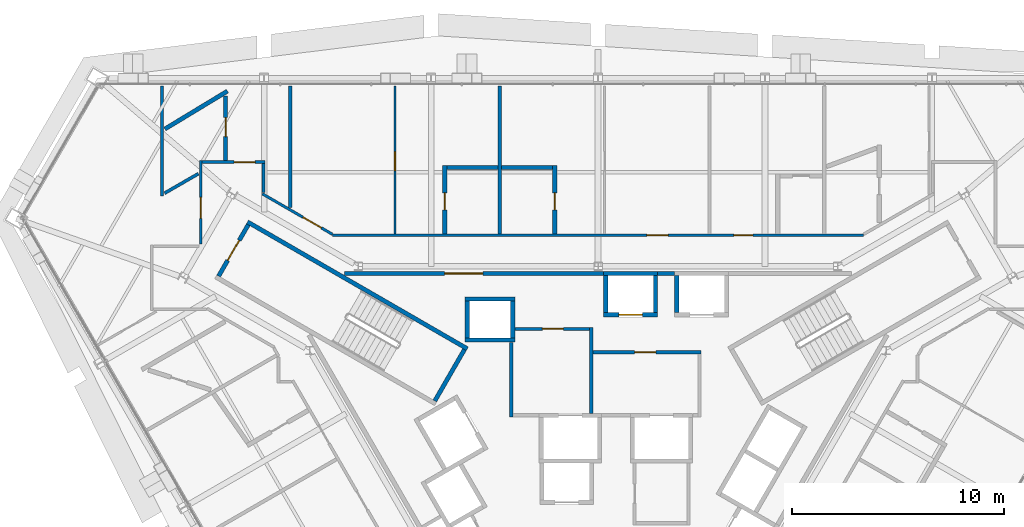
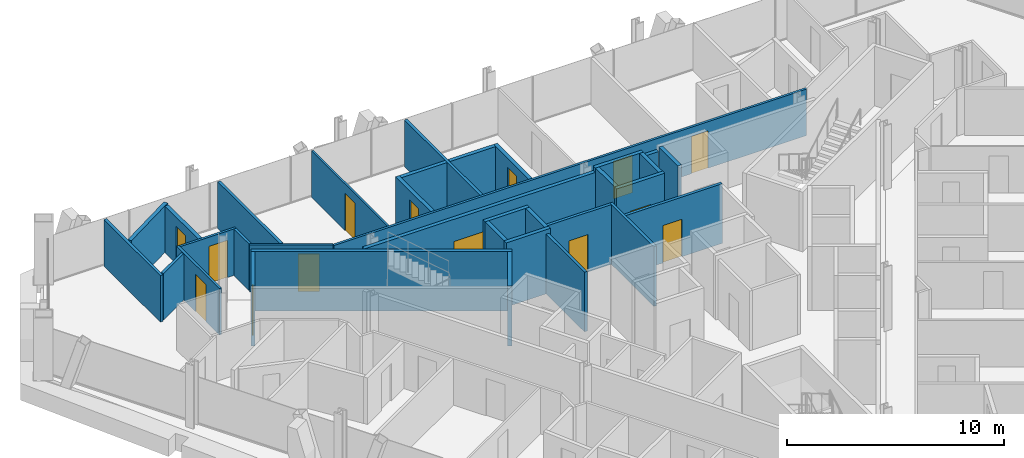
# One storey, part 13 of 17: 34 walls, 14 doors, 14 openings.
"""IFC4 building model written with IfcOpenShell, lengths in metres."""

from ifc_helpers import new_model, si_unit, direction, frame, frame_2d, origin, place, context, subcontext, project, spatial, rectangle, extrude, material, layer, layer_set, type_object, element, fill, save


model = new_model("IFC4")

# Units and contexts
model_context = context("Model", 3, precision=1e-05, world=origin(), true_north=direction((0.0, 1.0)))
body_context = subcontext(model_context, "Body", "Model", "MODEL_VIEW")
ifc_project = project(units=[si_unit("LENGTHUNIT", "METRE"), si_unit("AREAUNIT", "SQUARE_METRE"), si_unit("VOLUMEUNIT", "CUBIC_METRE"), si_unit("PLANEANGLEUNIT", "RADIAN"), si_unit("MASSUNIT", "GRAM", prefix="KILO")], contexts=[model_context])

# Site, building, storey
site_placement = place(None, origin())
site = spatial("IfcSite", under=ifc_project, at=site_placement, CompositionType="ELEMENT")
building_placement = place(site_placement, origin())
building = spatial("IfcBuilding", under=site, at=building_placement, Name="Verrane Prism Tower", CompositionType="ELEMENT")
storey_placement = place(building_placement, frame((0.0, 0.0, 96.39990234375)))
storey = spatial("IfcBuildingStorey", under=building, at=storey_placement, Name="L22", CompositionType="ELEMENT", Elevation=96.39990234375)

# Wall, opening, door
ifc_material_1 = material(Name="Gypsum board partition", Category="other")
ifc_layer_1 = layer(ifc_material_1, 0.199951171875)
ifc_layer_set_1 = layer_set([ifc_layer_1], Name="CW-200 core boundary wall 2 h")
wall_type_1 = type_object("IfcWallType", Name="CW-200 core boundary wall 2 h", PredefinedType="PARTITIONING", material=ifc_layer_set_1)
wall_1_placement = place(storey_placement, frame((0.262939453125, 8.860107421875, 0.0), z_axis=(0.0, 0.0, 1.0), x_axis=(-1.0, 0.0, 0.0)))
wall_1 = element("IfcWall", 1, at=wall_1_placement, inside=storey, type_object=wall_type_1, Name="Core boundary wall CW3-002", PredefinedType="PARTITIONING", context=body_context, shape_type="SweptSolid", body=[
    extrude(rectangle(XDim=12.25390625, YDim=0.199951171875, at=frame_2d((6.126953125, 0.0))), origin(), (0.0, 0.0, 1.0), 3.35009765625),
])
opening_1_placement = place(wall_1_placement, frame((5.708984375, 0.0, 0.0)))
opening_1 = element("IfcOpeningElement", 2, at=opening_1_placement, cuts=wall_1, Name="Opening D21511", PredefinedType="OPENING", context=body_context, shape_type="SweptSolid", body=[
    extrude(rectangle(XDim=1.800048828125, YDim=2.10009765625, at=frame_2d((0.89990234375, 1.050048828125))), frame((0.0, 0.10986328125, 0.0), z_axis=(0.0, -1.0, 0.0), x_axis=(1.0, 0.0, 0.0)), (0.0, 0.0, 1.0), 0.219970703125),
])
ifc_material_2 = material(Name="Timber veneered door leaf", Category="wood")
door_type_1 = type_object("IfcDoorType", Name="DR-1800x2100 FD60 double leaf lift lobby", OperationType="NOTDEFINED", PredefinedType="DOOR", material=ifc_material_2)
door_1_placement = place(opening_1_placement, origin())
door_1 = element("IfcDoor", 3, at=door_1_placement, inside=storey, type_object=door_type_1, Name="Lift lobby door D21511", OperationType="DOUBLE_DOOR_SINGLE_SWING", OverallHeight=2.10009765625, OverallWidth=1.800048828125, PredefinedType="DOOR", context=body_context, shape_type="SweptSolid", body=[
    extrude(rectangle(XDim=1.800048828125, YDim=2.10009765625, at=frame_2d((0.89990234375, 1.050048828125))), frame((0.0, 0.02490234375, 0.0), z_axis=(0.0, -1.0, 0.0), x_axis=(1.0, 0.0, 0.0)), (0.0, 0.0, 1.0), 0.050048828125),
])
fill(opening_1, door_1)

# Wall
wall_2_placement = place(storey_placement, frame((2.81689453125, 8.860107421875, 0.0), z_axis=(0.0, 0.0, 1.0), x_axis=(1.0, 0.0, 0.0)))
element("IfcWall", 4, at=wall_2_placement, inside=storey, type_object=wall_type_1, Name="Core boundary wall CW3-004", PredefinedType="PARTITIONING", context=body_context, shape_type="SweptSolid", body=[
    extrude(rectangle(XDim=0.80615234375, YDim=0.199951171875, at=frame_2d((0.403076171875, 0.0))), origin(), (0.0, 0.0, 1.0), 3.35009765625),
])

# Wall, opening, door
ifc_material_3 = material(Name="Concrete C40/50", Category="concrete")
ifc_layer_2 = layer(ifc_material_3, 0.199951171875)
ifc_layer_set_2 = layer_set([ifc_layer_2], Name="CW-200 stair core wall concrete C40/50 3 h")
wall_type_2 = type_object("IfcWallType", Name="CW-200 stair core wall concrete C40/50 3 h", PredefinedType="PARTITIONING", material=ifc_layer_set_2)
wall_3_placement = place(storey_placement, frame((-16.533935546875, 11.162353515625, 0.0), z_axis=(0.0, 0.0, 1.0), x_axis=(-0.49998411664, -0.866034573852, 0.0)))
wall_3 = element("IfcWall", 5, at=wall_3_placement, inside=storey, type_object=wall_type_2, Name="Stair 2 enclosure wall", PredefinedType="PARTITIONING", context=body_context, shape_type="SweptSolid", body=[
    extrude(rectangle(XDim=2.7998046875, YDim=0.199951171875, at=frame_2d((1.39990234375, 0.0))), origin(), (0.0, 0.0, 1.0), 3.35009765625),
])
opening_2_placement = place(wall_3_placement, frame((0.849853515625, 0.0, 0.0)))
opening_2 = element("IfcOpeningElement", 6, at=opening_2_placement, cuts=wall_3, Name="Opening D21501", PredefinedType="OPENING", context=body_context, shape_type="SweptSolid", body=[
    extrude(rectangle(XDim=1.10009765625, YDim=2.10009765625, at=frame_2d((0.550048828125, 1.050048828125))), frame((0.0, 0.10986328125, 0.0), z_axis=(0.0, -1.0, 0.0), x_axis=(1.0, 0.0, 0.0)), (0.0, 0.0, 1.0), 0.219970703125),
])
ifc_material_4 = material(Name="Timber veneered door leaf", Category="wood")
door_type_2 = type_object("IfcDoorType", Name="DR-1100x2100 FD90 single leaf stair", OperationType="NOTDEFINED", PredefinedType="DOOR", material=ifc_material_4)
door_2_placement = place(opening_2_placement, origin())
door_2 = element("IfcDoor", 7, at=door_2_placement, inside=storey, type_object=door_type_2, Name="Stair 2 door", OperationType="SINGLE_SWING_RIGHT", OverallHeight=2.10009765625, OverallWidth=1.10009765625, PredefinedType="DOOR", context=body_context, shape_type="SweptSolid", body=[
    extrude(rectangle(XDim=1.10009765625, YDim=2.10009765625, at=frame_2d((0.550048828125, 1.050048828125))), frame((0.0, 0.02490234375, 0.0), z_axis=(0.0, -1.0, 0.0), x_axis=(1.0, 0.0, 0.0)), (0.0, 0.0, 1.0), 0.050048828125),
])
fill(opening_2, door_2)

# Walls
wall_4_placement = place(storey_placement, frame((-6.17822265625, 5.299072265625, 0.0), z_axis=(0.0, 0.0, 1.0), x_axis=(-0.866026010844, 0.49999894854, 0.0)))
element("IfcWall", 8, at=wall_4_placement, inside=storey, type_object=wall_type_2, Name="Stair 2 enclosure wall", PredefinedType="PARTITIONING", context=body_context, shape_type="SweptSolid", body=[
    extrude(rectangle(XDim=12.0, YDim=0.199951171875, at=frame_2d((6.0, 0.0))), origin(), (0.0, 0.0, 1.0), 3.35009765625),
])
wall_5_placement = place(storey_placement, frame((-6.314697265625, 5.262451171875, 0.0), z_axis=(0.0, 0.0, 1.0), x_axis=(-0.500049511043, -0.865996816683, 0.0)))
element("IfcWall", 9, at=wall_5_placement, inside=storey, type_object=wall_type_2, Name="Stair 2 enclosure wall", PredefinedType="PARTITIONING", context=body_context, shape_type="SweptSolid", body=[
    extrude(rectangle(XDim=2.800048828125, YDim=0.199951171875, at=frame_2d((1.39990234375, 0.0))), origin(), (0.0, 0.0, 1.0), 3.35009765625),
])
ifc_material_5 = material(Name="Gypsum board shaft wall assembly", Category="other")
ifc_layer_3 = layer(ifc_material_5, 0.199951171875)
ifc_layer_set_3 = layer_set([ifc_layer_3], Name="HW-200 lift shaft wall 2 h")
wall_type_3 = type_object("IfcWallType", Name="HW-200 lift shaft wall 2 h", PredefinedType="PARTITIONING", material=ifc_layer_set_3)
wall_6_placement = place(storey_placement, frame((-6.284912109375, 5.7099609375, 0.0), z_axis=(0.0, 0.0, 1.0), x_axis=(1.0, 0.0, 0.0)))
element("IfcWall", 10, at=wall_6_placement, inside=storey, type_object=wall_type_3, Name="Lift shaft wall", PredefinedType="PARTITIONING", context=body_context, shape_type="SweptSolid", body=[
    extrude(rectangle(XDim=2.349853515625, YDim=0.199951171875, at=frame_2d((1.1748046875, 0.0))), origin(), (0.0, 0.0, 1.0), 3.60009765625),
])

# Wall, opening, door
wall_7_placement = place(storey_placement, frame((0.264892578125, 6.909912109375, 0.0), z_axis=(0.0, 0.0, 1.0), x_axis=(1.0, 0.0, 0.0)))
wall_7 = element("IfcWall", 11, at=wall_7_placement, inside=storey, type_object=wall_type_3, Name="Lift shaft wall", PredefinedType="PARTITIONING", context=body_context, shape_type="SweptSolid", body=[
    extrude(rectangle(XDim=2.550048828125, YDim=0.199951171875, at=frame_2d((1.27490234375, 0.0))), origin(), (0.0, 0.0, 1.0), 3.60009765625),
])
opening_3_placement = place(wall_7_placement, frame((0.72509765625, 0.0, 0.0)))
opening_3 = element("IfcOpeningElement", 12, at=opening_3_placement, cuts=wall_7, Name="Opening D21503", PredefinedType="OPENING", context=body_context, shape_type="SweptSolid", body=[
    extrude(rectangle(XDim=1.10009765625, YDim=2.10009765625, at=frame_2d((0.550048828125, 1.050048828125))), frame((0.0, 0.10986328125, 0.0), z_axis=(0.0, -1.0, 0.0), x_axis=(1.0, 0.0, 0.0)), (0.0, 0.0, 1.0), 0.219970703125),
])
ifc_material_6 = material(Name="Stainless steel sliding landing door", Category="steel")
door_type_3 = type_object("IfcDoorType", Name="LD-1100x2100 lift landing door FD90 sliding", OperationType="NOTDEFINED", PredefinedType="DOOR", material=ifc_material_6)
door_3_placement = place(opening_3_placement, origin())
door_3 = element("IfcDoor", 13, at=door_3_placement, inside=storey, type_object=door_type_3, Name="Bank A lift 1 landing door", OperationType="SLIDING_TO_LEFT", OverallHeight=2.10009765625, OverallWidth=1.10009765625, PredefinedType="DOOR", context=body_context, shape_type="SweptSolid", body=[
    extrude(rectangle(XDim=1.10009765625, YDim=2.10009765625, at=frame_2d((0.550048828125, 1.050048828125))), frame((0.0, 0.02490234375, 0.0), z_axis=(0.0, -1.0, 0.0), x_axis=(1.0, 0.0, 0.0)), (0.0, 0.0, 1.0), 0.050048828125),
])
fill(opening_3, door_3)

# Walls
wall_8_placement = place(storey_placement, frame((-6.284912109375, 7.659912109375, 0.0), z_axis=(0.0, 0.0, 1.0), x_axis=(1.0, 0.0, 0.0)))
element("IfcWall", 14, at=wall_8_placement, inside=storey, type_object=wall_type_3, Name="Lift shaft wall", PredefinedType="PARTITIONING", context=body_context, shape_type="SweptSolid", body=[
    extrude(rectangle(XDim=2.349853515625, YDim=0.199951171875, at=frame_2d((1.1748046875, 0.0))), origin(), (0.0, 0.0, 1.0), 3.60009765625),
])
wall_9_placement = place(storey_placement, frame((0.264892578125, 8.860107421875, 0.0), z_axis=(0.0, 0.0, 1.0), x_axis=(1.0, 0.0, 0.0)))
element("IfcWall", 15, at=wall_9_placement, inside=storey, type_object=wall_type_3, Name="Lift shaft wall", PredefinedType="PARTITIONING", context=body_context, shape_type="SweptSolid", body=[
    extrude(rectangle(XDim=2.550048828125, YDim=0.199951171875, at=frame_2d((1.27490234375, 0.0))), origin(), (0.0, 0.0, 1.0), 3.60009765625),
])
for number, where, z_axis, x_axis, name in (
    (16, (3.72509765625, 7.010009765625, 0.0), (0.0, 0.0, 1.0), (0.0, 1.0, 0.0), "Lift shaft wall"),
    (17, (2.715087890625, 7.010009765625, 0.0), (0.0, 0.0, 1.0), (0.0, 1.0, 0.0), "Lift shaft wall"),
    (18, (0.364990234375, 7.010009765625, 0.0), (0.0, 0.0, 1.0), (0.0, 1.0, 0.0), "Lift shaft wall"),
    (19, (-4.034912109375, 5.81005859375, 0.0), (0.0, 0.0, 1.0), (0.0, 1.0, 0.0), "Lift shaft wall"),
    (20, (-6.18505859375, 5.81005859375, 0.0), (0.0, 0.0, 1.0), (0.0, 1.0, 0.0), "Lift shaft wall"),
):
    element("IfcWall", number, at=place(storey_placement, frame(where, z_axis=z_axis, x_axis=x_axis)), inside=storey, type_object=wall_type_3, Name=name, PredefinedType="PARTITIONING", context=body_context, shape_type="SweptSolid", body=[
        extrude(rectangle(XDim=1.75, YDim=0.199951171875, at=frame_2d((0.875, 0.0))), origin(), (0.0, 0.0, 1.0), 3.60009765625),
    ])
ifc_material_7 = material(Name="Gypsum board partition", Category="other")
ifc_layer_4 = layer(ifc_material_7, 0.14990234375)
ifc_layer_set_4 = layer_set([ifc_layer_4], Name="LF-150 firefighting lobby wall 1 h")
wall_type_4 = type_object("IfcWallType", Name="LF-150 firefighting lobby wall 1 h", PredefinedType="PARTITIONING", material=ifc_layer_set_4)
wall_10_placement = place(storey_placement, frame((-4.10009765625, 2.0849609375, 0.0), z_axis=(0.0, 0.0, 1.0), x_axis=(0.0, 1.0, 0.0)))
element("IfcWall", 21, at=wall_10_placement, inside=storey, type_object=wall_type_4, Name="Firefighting lobby wall LF1-001", PredefinedType="PARTITIONING", context=body_context, shape_type="SweptSolid", body=[
    extrude(rectangle(XDim=3.52294921875, YDim=0.14990234375, at=frame_2d((1.761474609375, 0.0))), origin(), (0.0, 0.0, 1.0), 3.35009765625),
])

# Wall, opening, door
wall_11_placement = place(storey_placement, frame((-3.93310546875, 6.239990234375, 0.0), z_axis=(0.0, 0.0, 1.0), x_axis=(1.0, 0.0, 0.0)))
wall_11 = element("IfcWall", 22, at=wall_11_placement, inside=storey, type_object=wall_type_4, Name="Firefighting lobby wall LF1-003", PredefinedType="PARTITIONING", context=body_context, shape_type="SweptSolid", body=[
    extrude(rectangle(XDim=3.5380859375, YDim=0.14990234375, at=frame_2d((1.76904296875, 0.0))), origin(), (0.0, 0.0, 1.0), 3.35009765625),
])
opening_4_placement = place(wall_11_placement, frame((1.300048828125, 0.0, 0.0)))
opening_4 = element("IfcOpeningElement", 23, at=opening_4_placement, cuts=wall_11, Name="Opening D21515", PredefinedType="OPENING", context=body_context, shape_type="SweptSolid", body=[
    extrude(rectangle(XDim=1.0, YDim=2.10009765625, at=frame_2d((0.5, 1.050048828125))), frame((0.0, 0.0849609375, 0.0), z_axis=(0.0, -1.0, 0.0), x_axis=(1.0, 0.0, 0.0)), (0.0, 0.0, 1.0), 0.169921875),
])
ifc_material_8 = material(Name="Timber veneered door leaf", Category="wood")
door_type_4 = type_object("IfcDoorType", Name="DR-1000x2100 FD60 single leaf firefighting lobby", OperationType="NOTDEFINED", PredefinedType="DOOR", material=ifc_material_8)
door_4_placement = place(opening_4_placement, origin())
door_4 = element("IfcDoor", 24, at=door_4_placement, inside=storey, type_object=door_type_4, Name="Firefighting lobby door D21515", OperationType="SINGLE_SWING_LEFT", OverallHeight=2.10009765625, OverallWidth=1.0, PredefinedType="DOOR", context=body_context, shape_type="SweptSolid", body=[
    extrude(rectangle(XDim=1.0, YDim=2.10009765625, at=frame_2d((0.5, 1.050048828125))), frame((0.0, 0.02490234375, 0.0), z_axis=(0.0, -1.0, 0.0), x_axis=(1.0, 0.0, 0.0)), (0.0, 0.0, 1.0), 0.050048828125),
])
fill(opening_4, door_4)

# Wall
wall_12_placement = place(storey_placement, frame((-0.320068359375, 2.251953125, 0.0), z_axis=(0.0, 0.0, 1.0), x_axis=(0.0, 1.0, 0.0)))
element("IfcWall", 25, at=wall_12_placement, inside=storey, type_object=wall_type_4, Name="Firefighting lobby wall LF1-004", PredefinedType="PARTITIONING", context=body_context, shape_type="SweptSolid", body=[
    extrude(rectangle(XDim=4.06298828125, YDim=0.14990234375, at=frame_2d((2.031494140625, 0.0))), origin(), (0.0, 0.0, 1.0), 3.35009765625),
])

# Wall, opening, door
wall_13_placement = place(storey_placement, frame((-0.2451171875, 5.139892578125, 0.0), z_axis=(0.0, 0.0, 1.0), x_axis=(1.0, 0.0, 0.0)))
wall_13 = element("IfcWall", 26, at=wall_13_placement, inside=storey, type_object=wall_type_4, Name="Firefighting lobby wall LF1-005", PredefinedType="PARTITIONING", context=body_context, shape_type="SweptSolid", body=[
    extrude(rectangle(XDim=5.110107421875, YDim=0.14990234375, at=frame_2d((2.55517578125, 0.0))), origin(), (0.0, 0.0, 1.0), 3.35009765625),
])
opening_5_placement = place(wall_13_placement, frame((1.97509765625, 0.0, 0.0)))
opening_5 = element("IfcOpeningElement", 27, at=opening_5_placement, cuts=wall_13, Name="Opening D21516", PredefinedType="OPENING", context=body_context, shape_type="SweptSolid", body=[
    extrude(rectangle(XDim=1.0, YDim=2.10009765625, at=frame_2d((0.5, 1.050048828125))), frame((0.0, 0.0849609375, 0.0), z_axis=(0.0, -1.0, 0.0), x_axis=(1.0, 0.0, 0.0)), (0.0, 0.0, 1.0), 0.169921875),
])
door_5_placement = place(opening_5_placement, origin())
door_5 = element("IfcDoor", 28, at=door_5_placement, inside=storey, type_object=door_type_4, Name="Firefighting lobby door D21516", OperationType="SINGLE_SWING_RIGHT", OverallHeight=2.10009765625, OverallWidth=1.0, PredefinedType="DOOR", context=body_context, shape_type="SweptSolid", body=[
    extrude(rectangle(XDim=1.0, YDim=2.10009765625, at=frame_2d((0.5, 1.050048828125))), frame((0.0, 0.02490234375, 0.0), z_axis=(0.0, -1.0, 0.0), x_axis=(1.0, 0.0, 0.0)), (0.0, 0.0, 1.0), 0.050048828125),
])
fill(opening_5, door_5)

ifc_material_9 = material(Name="Gypsum board partition", Category="other")
ifc_layer_5 = layer(ifc_material_9, 0.10009765625)
ifc_layer_set_5 = layer_set([ifc_layer_5], Name="PW-100 room partition")
wall_type_5 = type_object("IfcWallType", Name="PW-100 room partition", PredefinedType="PARTITIONING", material=ifc_layer_set_5)
wall_14_placement = place(storey_placement, frame((-9.596923828125, 17.715087890625, 0.0), z_axis=(0.0, 0.0, 1.0), x_axis=(0.0, -1.0, 0.0)))
wall_14 = element("IfcWall", 29, at=wall_14_placement, inside=storey, type_object=wall_type_5, Name="Room partition 032", PredefinedType="PARTITIONING", context=body_context, shape_type="SweptSolid", body=[
    extrude(rectangle(XDim=6.981689453125, YDim=0.10009765625, at=frame_2d((3.49072265625, 0.0))), origin(), (0.0, 0.0, 1.0), 2.613037109375),
])
opening_6_placement = place(wall_14_placement, frame((3.093994140625, 0.0, 0.0)))
opening_6 = element("IfcOpeningElement", 30, at=opening_6_placement, cuts=wall_14, Name="Opening D21021", PredefinedType="OPENING", context=body_context, shape_type="SweptSolid", body=[
    extrude(rectangle(XDim=0.89990234375, YDim=2.10009765625, at=frame_2d((0.449951171875, 1.050048828125))), frame((0.0, 0.06005859375, 0.0), z_axis=(0.0, -1.0, 0.0), x_axis=(1.0, 0.0, 0.0)), (0.0, 0.0, 1.0), 0.1201171875),
])
ifc_material_10 = material(Name="Timber veneered door leaf", Category="wood")
door_type_5 = type_object("IfcDoorType", Name="DR-900x2100 single leaf inner", OperationType="NOTDEFINED", PredefinedType="DOOR", material=ifc_material_10)
door_6_placement = place(opening_6_placement, origin())
door_6 = element("IfcDoor", 31, at=door_6_placement, inside=storey, type_object=door_type_5, Name="Suite Living Room door", OperationType="SINGLE_SWING_RIGHT", OverallHeight=2.10009765625, OverallWidth=0.89990234375, PredefinedType="DOOR", context=body_context, shape_type="SweptSolid", body=[
    extrude(rectangle(XDim=0.89990234375, YDim=2.10009765625, at=frame_2d((0.449951171875, 1.050048828125))), frame((0.0, 0.02490234375, 0.0), z_axis=(0.0, -1.0, 0.0), x_axis=(1.0, 0.0, 0.0)), (0.0, 0.0, 1.0), 0.050048828125),
])
fill(opening_6, door_6)

ifc_material_11 = material(Name="Gypsum board partition", Category="other")
ifc_layer_6 = layer(ifc_material_11, 0.125)
ifc_layer_set_6 = layer_set([ifc_layer_6], Name="PW-125 corridor wall 1 h")
wall_type_6 = type_object("IfcWallType", Name="PW-125 corridor wall 1 h", PredefinedType="PARTITIONING", material=ifc_layer_set_6)
wall_15_placement = place(storey_placement, frame((-18.787109375, 10.259033203125, 0.0), z_axis=(0.0, 0.0, 1.0), x_axis=(0.0, 1.0, 0.0)))
wall_15 = element("IfcWall", 32, at=wall_15_placement, inside=storey, type_object=wall_type_6, Name="Corridor wall 011", PredefinedType="PARTITIONING", context=body_context, shape_type="SweptSolid", body=[
    extrude(rectangle(XDim=3.930419921875, YDim=0.125, at=frame_2d((1.96533203125, 0.0))), origin(), (0.0, 0.0, 1.0), 2.613037109375),
])
opening_7_placement = place(wall_15_placement, frame((1.199951171875, 0.0, 0.0)))
opening_7 = element("IfcOpeningElement", 33, at=opening_7_placement, cuts=wall_15, Name="Opening D21025", PredefinedType="OPENING", context=body_context, shape_type="SweptSolid", body=[
    extrude(rectangle(XDim=1.0, YDim=2.10009765625, at=frame_2d((0.5, 1.050048828125))), frame((0.0, 0.072509765625, 0.0), z_axis=(0.0, -1.0, 0.0), x_axis=(1.0, 0.0, 0.0)), (0.0, 0.0, 1.0), 0.14501953125),
])
ifc_material_12 = material(Name="Timber veneered door leaf", Category="wood")
door_type_6 = type_object("IfcDoorType", Name="DR-1000x2100 FD20 single leaf unit", OperationType="NOTDEFINED", PredefinedType="DOOR", material=ifc_material_12)
door_7_placement = place(opening_7_placement, origin())
door_7 = element("IfcDoor", 34, at=door_7_placement, inside=storey, type_object=door_type_6, Name="Suite Living Room door", OperationType="SINGLE_SWING_LEFT", OverallHeight=2.10009765625, OverallWidth=1.0, PredefinedType="DOOR", context=body_context, shape_type="SweptSolid", body=[
    extrude(rectangle(XDim=1.0, YDim=2.10009765625, at=frame_2d((0.5, 1.050048828125))), frame((0.0, 0.02490234375, 0.0), z_axis=(0.0, -1.0, 0.0), x_axis=(1.0, 0.0, 0.0)), (0.0, 0.0, 1.0), 0.050048828125),
])
fill(opening_7, door_7)

wall_16_placement = place(storey_placement, frame((-18.721923828125, 14.126953125, 0.0), z_axis=(0.0, 0.0, 1.0), x_axis=(1.0, 0.0, 0.0)))
wall_16 = element("IfcWall", 35, at=wall_16_placement, inside=storey, type_object=wall_type_6, Name="Corridor wall 012", PredefinedType="PARTITIONING", context=body_context, shape_type="SweptSolid", body=[
    extrude(rectangle(XDim=2.971435546875, YDim=0.125, at=frame_2d((1.48583984375, 0.0))), origin(), (0.0, 0.0, 1.0), 2.613037109375),
])
opening_8_placement = place(wall_16_placement, frame((1.51904296875, 0.0, 0.0)))
opening_8 = element("IfcOpeningElement", 36, at=opening_8_placement, cuts=wall_16, Name="Opening D21023", PredefinedType="OPENING", context=body_context, shape_type="SweptSolid", body=[
    extrude(rectangle(XDim=1.0, YDim=2.10009765625, at=frame_2d((0.5, 1.050048828125))), frame((0.0, 0.072509765625, 0.0), z_axis=(0.0, -1.0, 0.0), x_axis=(1.0, 0.0, 0.0)), (0.0, 0.0, 1.0), 0.14501953125),
])
door_8_placement = place(opening_8_placement, origin())
door_8 = element("IfcDoor", 37, at=door_8_placement, inside=storey, type_object=door_type_6, Name="Accessible Guest Room door", OperationType="SINGLE_SWING_LEFT", OverallHeight=2.10009765625, OverallWidth=1.0, PredefinedType="DOOR", context=body_context, shape_type="SweptSolid", body=[
    extrude(rectangle(XDim=1.0, YDim=2.10009765625, at=frame_2d((0.5, 1.050048828125))), frame((0.0, 0.02490234375, 0.0), z_axis=(0.0, -1.0, 0.0), x_axis=(1.0, 0.0, 0.0)), (0.0, 0.0, 1.0), 0.050048828125),
])
fill(opening_8, door_8)

# Wall
wall_17_placement = place(storey_placement, frame((-15.81298828125, 12.678955078125, 0.0), z_axis=(0.0, 0.0, 1.0), x_axis=(0.0, 1.0, 0.0)))
element("IfcWall", 38, at=wall_17_placement, inside=storey, type_object=wall_type_6, Name="Corridor wall 019", PredefinedType="PARTITIONING", context=body_context, shape_type="SweptSolid", body=[
    extrude(rectangle(XDim=1.383056640625, YDim=0.125, at=frame_2d((0.69140625, 0.0))), origin(), (0.0, 0.0, 1.0), 2.613037109375),
])

# Wall, opening, door
wall_18_placement = place(storey_placement, frame((-15.8671875, 12.625244140625, 0.0), z_axis=(0.0, 0.0, 1.0), x_axis=(0.86603035395, -0.499991425964, 0.0)))
wall_18 = element("IfcWall", 39, at=wall_18_placement, inside=storey, type_object=wall_type_6, Name="Corridor wall 020", PredefinedType="PARTITIONING", context=body_context, shape_type="SweptSolid", body=[
    extrude(rectangle(XDim=3.82373046875, YDim=0.125, at=frame_2d((1.911865234375, 0.0))), origin(), (0.0, 0.0, 1.0), 2.613037109375),
])
opening_9_placement = place(wall_18_placement, frame((2.218505859375, 0.0, 0.0)))
opening_9 = element("IfcOpeningElement", 40, at=opening_9_placement, cuts=wall_18, Name="Opening D21020", PredefinedType="OPENING", context=body_context, shape_type="SweptSolid", body=[
    extrude(rectangle(XDim=1.0, YDim=2.10009765625, at=frame_2d((0.5, 1.050048828125))), frame((0.0, 0.072509765625, 0.0), z_axis=(0.0, -1.0, 0.0), x_axis=(1.0, 0.0, 0.0)), (0.0, 0.0, 1.0), 0.14501953125),
])
door_9_placement = place(opening_9_placement, origin())
door_9 = element("IfcDoor", 41, at=door_9_placement, inside=storey, type_object=door_type_6, Name="Suite Living Room door", OperationType="SINGLE_SWING_RIGHT", OverallHeight=2.10009765625, OverallWidth=1.0, PredefinedType="DOOR", context=body_context, shape_type="SweptSolid", body=[
    extrude(rectangle(XDim=1.0, YDim=2.10009765625, at=frame_2d((0.5, 1.050048828125))), frame((0.0, 0.02490234375, 0.0), z_axis=(0.0, -1.0, 0.0), x_axis=(1.0, 0.0, 0.0)), (0.0, 0.0, 1.0), 0.050048828125),
])
fill(opening_9, door_9)

# Wall, openings, doors
wall_19_placement = place(storey_placement, frame((-12.54443359375, 10.6708984375, 0.0), z_axis=(0.0, 0.0, 1.0), x_axis=(1.0, 0.0, 0.0)))
wall_19 = element("IfcWall", 42, at=wall_19_placement, inside=storey, type_object=wall_type_6, Name="Corridor wall 027", PredefinedType="PARTITIONING", context=body_context, shape_type="SweptSolid", body=[
    extrude(rectangle(XDim=25.0888671875, YDim=0.125, at=frame_2d((12.54443359375, 0.0))), origin(), (0.0, 0.0, 1.0), 2.613037109375),
])
opening_10_placement = place(wall_19_placement, frame((18.96240234375, 0.0, 0.0)))
opening_10 = element("IfcOpeningElement", 43, at=opening_10_placement, cuts=wall_19, Name="Opening D21015", PredefinedType="OPENING", context=body_context, shape_type="SweptSolid", body=[
    extrude(rectangle(XDim=0.89990234375, YDim=2.10009765625, at=frame_2d((0.449951171875, 1.050048828125))), frame((0.0, 0.072509765625, 0.0), z_axis=(0.0, -1.0, 0.0), x_axis=(1.0, 0.0, 0.0)), (0.0, 0.0, 1.0), 0.14501953125),
])
opening_11_placement = place(wall_19_placement, frame((14.857421875, 0.0, 0.0)))
opening_11 = element("IfcOpeningElement", 44, at=opening_11_placement, cuts=wall_19, Name="Opening D21017", PredefinedType="OPENING", context=body_context, shape_type="SweptSolid", body=[
    extrude(rectangle(XDim=1.0, YDim=2.10009765625, at=frame_2d((0.5, 1.050048828125))), frame((0.0, 0.072509765625, 0.0), z_axis=(0.0, -1.0, 0.0), x_axis=(1.0, 0.0, 0.0)), (0.0, 0.0, 1.0), 0.14501953125),
])
door_10_placement = place(opening_11_placement, origin())
door_10 = element("IfcDoor", 45, at=door_10_placement, inside=storey, type_object=door_type_6, Name="Suite Living Room door", OperationType="SINGLE_SWING_LEFT", OverallHeight=2.10009765625, OverallWidth=1.0, PredefinedType="DOOR", context=body_context, shape_type="SweptSolid", body=[
    extrude(rectangle(XDim=1.0, YDim=2.10009765625, at=frame_2d((0.5, 1.050048828125))), frame((0.0, 0.02490234375, 0.0), z_axis=(0.0, -1.0, 0.0), x_axis=(1.0, 0.0, 0.0)), (0.0, 0.0, 1.0), 0.050048828125),
])
fill(opening_11, door_10)
ifc_material_13 = material(Name="Timber veneered door leaf", Category="wood")
door_type_7 = type_object("IfcDoorType", Name="DR-900x2100 FD20 single leaf unit", OperationType="NOTDEFINED", PredefinedType="DOOR", material=ifc_material_13)
door_11_placement = place(opening_10_placement, origin())
door_11 = element("IfcDoor", 46, at=door_11_placement, inside=storey, type_object=door_type_7, Name="Guest Room door", OperationType="SINGLE_SWING_LEFT", OverallHeight=2.10009765625, OverallWidth=0.89990234375, PredefinedType="DOOR", context=body_context, shape_type="SweptSolid", body=[
    extrude(rectangle(XDim=0.89990234375, YDim=2.10009765625, at=frame_2d((0.449951171875, 1.050048828125))), frame((0.0, 0.02490234375, 0.0), z_axis=(0.0, -1.0, 0.0), x_axis=(1.0, 0.0, 0.0)), (0.0, 0.0, 1.0), 0.050048828125),
])
fill(opening_10, door_11)

# Walls
ifc_material_14 = material(Name="Gypsum board partition", Category="other")
ifc_layer_7 = layer(ifc_material_14, 0.14990234375)
ifc_layer_set_7 = layer_set([ifc_layer_7], Name="PW-150 demising wall 1 h")
wall_type_7 = type_object("IfcWallType", Name="PW-150 demising wall 1 h", PredefinedType="PARTITIONING", material=ifc_layer_set_7)
wall_20_placement = place(storey_placement, frame((-20.60302734375, 12.512939453125, 0.0), z_axis=(0.0, 0.0, 1.0), x_axis=(0.0, 1.0, 0.0)))
element("IfcWall", 47, at=wall_20_placement, inside=storey, type_object=wall_type_7, Name="Demising wall 008", PredefinedType="PARTITIONING", context=body_context, shape_type="SweptSolid", body=[
    extrude(rectangle(XDim=5.2021484375, YDim=0.14990234375, at=frame_2d((2.60107421875, 0.0))), origin(), (0.0, 0.0, 1.0), 2.613037109375),
])
wall_21_placement = place(storey_placement, frame((-20.490478515625, 12.653076171875, 0.0), z_axis=(0.0, 0.0, 1.0), x_axis=(0.866141673836, 0.499798560267, 0.0)))
element("IfcWall", 48, at=wall_21_placement, inside=storey, type_object=wall_type_7, Name="Demising wall 009", PredefinedType="PARTITIONING", context=body_context, shape_type="SweptSolid", body=[
    extrude(rectangle(XDim=1.851318359375, YDim=0.14990234375, at=frame_2d((0.92578125, 0.0))), origin(), (0.0, 0.0, 1.0), 2.613037109375),
])
wall_22_placement = place(storey_placement, frame((-14.552001953125, 11.9814453125, 0.0), z_axis=(0.0, 0.0, 1.0), x_axis=(0.0, 1.0, 0.0)))
element("IfcWall", 49, at=wall_22_placement, inside=storey, type_object=wall_type_7, Name="Demising wall 024", PredefinedType="PARTITIONING", context=body_context, shape_type="SweptSolid", body=[
    extrude(rectangle(XDim=5.733642578125, YDim=0.14990234375, at=frame_2d((2.86669921875, 0.0))), origin(), (0.0, 0.0, 1.0), 2.613037109375),
])
wall_23_placement = place(storey_placement, frame((-4.64208984375, 10.7333984375, 0.0), z_axis=(0.0, 0.0, 1.0), x_axis=(0.0, 1.0, 0.0)))
element("IfcWall", 50, at=wall_23_placement, inside=storey, type_object=wall_type_7, Name="Demising wall 044", PredefinedType="PARTITIONING", context=body_context, shape_type="SweptSolid", body=[
    extrude(rectangle(XDim=6.981689453125, YDim=0.14990234375, at=frame_2d((3.49072265625, 0.0))), origin(), (0.0, 0.0, 1.0), 2.613037109375),
])
ifc_material_15 = material(Name="Gypsum board partition", Category="other")
ifc_layer_8 = layer(ifc_material_15, 0.199951171875)
ifc_layer_set_8 = layer_set([ifc_layer_8], Name="PW-200 plumbing wall")
wall_type_8 = type_object("IfcWallType", Name="PW-200 plumbing wall", PredefinedType="PARTITIONING", material=ifc_layer_set_8)
wall_24_placement = place(storey_placement, frame((-20.476318359375, 15.687744140625, 0.0), z_axis=(0.0, 0.0, 1.0), x_axis=(0.855493496237, 0.517813555148, 0.0)))
element("IfcWall", 51, at=wall_24_placement, inside=storey, type_object=wall_type_8, Name="Plumbing wall 010", PredefinedType="PARTITIONING", context=body_context, shape_type="SweptSolid", body=[
    extrude(rectangle(XDim=3.458740234375, YDim=0.199951171875, at=frame_2d((1.7294921875, 0.0))), origin(), (0.0, 0.0, 1.0), 2.613037109375),
])

# Wall, opening, door
wall_25_placement = place(storey_placement, frame((-17.60302734375, 14.189453125, 0.0), z_axis=(0.0, 0.0, 1.0), x_axis=(0.0, 1.0, 0.0)))
wall_25 = element("IfcWall", 52, at=wall_25_placement, inside=storey, type_object=wall_type_8, Name="Plumbing wall 016", PredefinedType="PARTITIONING", context=body_context, shape_type="SweptSolid", body=[
    extrude(rectangle(XDim=3.0625, YDim=0.199951171875, at=frame_2d((1.53125, 0.0))), origin(), (0.0, 0.0, 1.0), 2.613037109375),
])
opening_12_placement = place(wall_25_placement, frame((1.137451171875, 0.0, 0.0)))
opening_12 = element("IfcOpeningElement", 53, at=opening_12_placement, cuts=wall_25, Name="Opening D21024", PredefinedType="OPENING", context=body_context, shape_type="SweptSolid", body=[
    extrude(rectangle(XDim=0.89990234375, YDim=2.10009765625, at=frame_2d((0.449951171875, 1.050048828125))), frame((0.0, 0.10986328125, 0.0), z_axis=(0.0, -1.0, 0.0), x_axis=(1.0, 0.0, 0.0)), (0.0, 0.0, 1.0), 0.219970703125),
])
ifc_material_16 = material(Name="Timber veneered door leaf", Category="wood")
door_type_8 = type_object("IfcDoorType", Name="DR-900x2100 single leaf bath", OperationType="NOTDEFINED", PredefinedType="DOOR", material=ifc_material_16)
door_12_placement = place(opening_12_placement, origin())
door_12 = element("IfcDoor", 54, at=door_12_placement, inside=storey, type_object=door_type_8, Name="En-Suite door", OperationType="SINGLE_SWING_RIGHT", OverallHeight=2.10009765625, OverallWidth=0.89990234375, PredefinedType="DOOR", context=body_context, shape_type="SweptSolid", body=[
    extrude(rectangle(XDim=0.89990234375, YDim=2.10009765625, at=frame_2d((0.449951171875, 1.050048828125))), frame((0.0, 0.02490234375, 0.0), z_axis=(0.0, -1.0, 0.0), x_axis=(1.0, 0.0, 0.0)), (0.0, 0.0, 1.0), 0.050048828125),
])
fill(opening_12, door_12)

wall_26_placement = place(storey_placement, frame((-7.241943359375, 13.970947265625, 0.0), z_axis=(0.0, 0.0, 1.0), x_axis=(0.0, -1.0, 0.0)))
wall_26 = element("IfcWall", 55, at=wall_26_placement, inside=storey, type_object=wall_type_8, Name="Plumbing wall 038", PredefinedType="PARTITIONING", context=body_context, shape_type="SweptSolid", body=[
    extrude(rectangle(XDim=3.237548828125, YDim=0.199951171875, at=frame_2d((1.61865234375, 0.0))), origin(), (0.0, 0.0, 1.0), 2.613037109375),
])
opening_13_placement = place(wall_26_placement, frame((1.300048828125, 0.0, 0.0)))
opening_13 = element("IfcOpeningElement", 56, at=opening_13_placement, cuts=wall_26, Name="Opening D21022", PredefinedType="OPENING", context=body_context, shape_type="SweptSolid", body=[
    extrude(rectangle(XDim=0.800048828125, YDim=2.10009765625, at=frame_2d((0.39990234375, 1.050048828125))), frame((0.0, 0.10986328125, 0.0), z_axis=(0.0, -1.0, 0.0), x_axis=(1.0, 0.0, 0.0)), (0.0, 0.0, 1.0), 0.219970703125),
])
ifc_material_17 = material(Name="Timber veneered door leaf", Category="wood")
door_type_9 = type_object("IfcDoorType", Name="DR-800x2100 single leaf bath", OperationType="NOTDEFINED", PredefinedType="DOOR", material=ifc_material_17)
door_13_placement = place(opening_13_placement, origin())
door_13 = element("IfcDoor", 57, at=door_13_placement, inside=storey, type_object=door_type_9, Name="En-Suite door", OperationType="SINGLE_SWING_LEFT", OverallHeight=2.10009765625, OverallWidth=0.800048828125, PredefinedType="DOOR", context=body_context, shape_type="SweptSolid", body=[
    extrude(rectangle(XDim=0.800048828125, YDim=2.10009765625, at=frame_2d((0.39990234375, 1.050048828125))), frame((0.0, 0.02490234375, 0.0), z_axis=(0.0, -1.0, 0.0), x_axis=(1.0, 0.0, 0.0)), (0.0, 0.0, 1.0), 0.050048828125),
])
fill(opening_13, door_13)

# Walls
wall_27_placement = place(storey_placement, frame((-7.14208984375, 13.87109375, 0.0), z_axis=(0.0, 0.0, 1.0), x_axis=(1.0, 0.0, 0.0)))
element("IfcWall", 58, at=wall_27_placement, inside=storey, type_object=wall_type_8, Name="Plumbing wall 039", PredefinedType="PARTITIONING", context=body_context, shape_type="SweptSolid", body=[
    extrude(rectangle(XDim=2.420166015625, YDim=0.199951171875, at=frame_2d((1.2099609375, 0.0))), origin(), (0.0, 0.0, 1.0), 2.613037109375),
])
wall_28_placement = place(storey_placement, frame((-4.56201171875, 13.87109375, 0.0), z_axis=(0.0, 0.0, 1.0), x_axis=(1.0, 0.0, 0.0)))
element("IfcWall", 59, at=wall_28_placement, inside=storey, type_object=wall_type_8, Name="Plumbing wall 045", PredefinedType="PARTITIONING", context=body_context, shape_type="SweptSolid", body=[
    extrude(rectangle(XDim=2.419921875, YDim=0.199951171875, at=frame_2d((1.2099609375, 0.0))), origin(), (0.0, 0.0, 1.0), 2.613037109375),
])

# Wall, opening, door
wall_29_placement = place(storey_placement, frame((-2.0419921875, 10.7333984375, 0.0), z_axis=(0.0, 0.0, 1.0), x_axis=(0.0, 1.0, 0.0)))
wall_29 = element("IfcWall", 60, at=wall_29_placement, inside=storey, type_object=wall_type_8, Name="Plumbing wall 049", PredefinedType="PARTITIONING", context=body_context, shape_type="SweptSolid", body=[
    extrude(rectangle(XDim=3.237548828125, YDim=0.199951171875, at=frame_2d((1.61865234375, 0.0))), origin(), (0.0, 0.0, 1.0), 2.613037109375),
])
opening_14_placement = place(wall_29_placement, frame((1.137451171875, 0.0, 0.0)))
opening_14 = element("IfcOpeningElement", 61, at=opening_14_placement, cuts=wall_29, Name="Opening D21019", PredefinedType="OPENING", context=body_context, shape_type="SweptSolid", body=[
    extrude(rectangle(XDim=0.800048828125, YDim=2.10009765625, at=frame_2d((0.39990234375, 1.050048828125))), frame((0.0, 0.10986328125, 0.0), z_axis=(0.0, -1.0, 0.0), x_axis=(1.0, 0.0, 0.0)), (0.0, 0.0, 1.0), 0.219970703125),
])
door_14_placement = place(opening_14_placement, origin())
door_14 = element("IfcDoor", 62, at=door_14_placement, inside=storey, type_object=door_type_9, Name="En-Suite door", OperationType="SINGLE_SWING_LEFT", OverallHeight=2.10009765625, OverallWidth=0.800048828125, PredefinedType="DOOR", context=body_context, shape_type="SweptSolid", body=[
    extrude(rectangle(XDim=0.800048828125, YDim=2.10009765625, at=frame_2d((0.39990234375, 1.050048828125))), frame((0.0, 0.02490234375, 0.0), z_axis=(0.0, -1.0, 0.0), x_axis=(1.0, 0.0, 0.0)), (0.0, 0.0, 1.0), 0.050048828125),
])
fill(opening_14, door_14)

save(model, "model.ifc")
